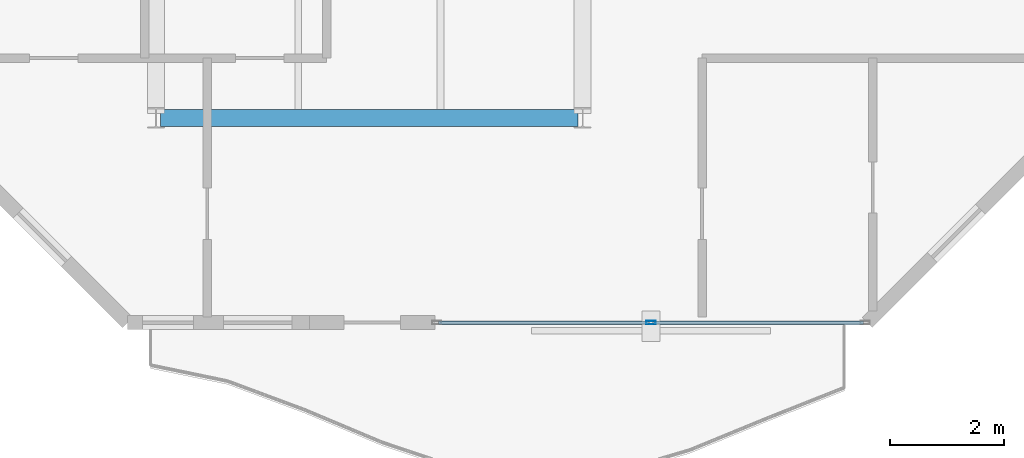
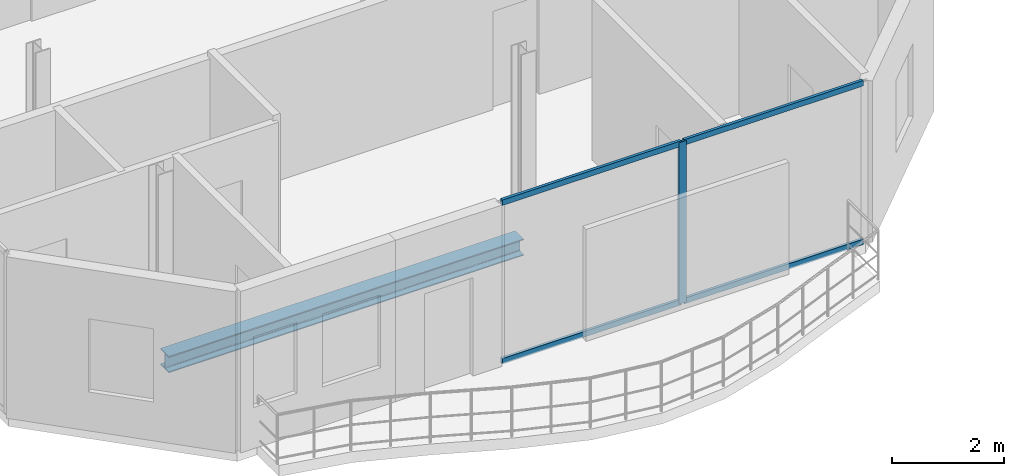
# One storey, part 4 of 22: 5 members, 1 beam, 1 element without a shape of its own.
"""IFC4 building model written with IfcOpenShell, lengths in metres."""

from ifc_helpers import new_model, si_unit, direction, frame, origin, origin_2d, place, context, subcontext, project, spatial, hollow_rectangle, i_section, extrude, material, layer, layer_set, material_profile, profile_set, type_object, element, aggregate, save


model = new_model("IFC4")

# Units and contexts
model_context = context("Model", 3, precision=1e-05, world=origin(), true_north=direction((0.0, 1.0)))
body_context = subcontext(model_context, "Body", "Model", "MODEL_VIEW")
ifc_project = project(units=[si_unit("LENGTHUNIT", "METRE"), si_unit("AREAUNIT", "SQUARE_METRE"), si_unit("VOLUMEUNIT", "CUBIC_METRE"), si_unit("PLANEANGLEUNIT", "RADIAN"), si_unit("MASSUNIT", "GRAM", prefix="KILO")], contexts=[model_context])

# Site, building, storey
site_placement = place(None, origin())
site = spatial("IfcSite", under=ifc_project, at=site_placement, CompositionType="ELEMENT")
building_placement = place(site_placement, origin())
building = spatial("IfcBuilding", under=site, at=building_placement, Name="Catumbela Crestline Tower", CompositionType="ELEMENT")
storey_placement = place(building_placement, frame((0.0, 0.0, 256.4)))
storey = spatial("IfcBuildingStorey", under=building, at=storey_placement, Name="L66", CompositionType="ELEMENT", Elevation=256.4)

# Beam
ifc_material_1 = material(Name="Structural steel S355J2", Category="steel")
ifc_material_profile_1 = material_profile(ifc_material_1, i_section(OverallWidth=0.3, OverallDepth=0.36, WebThickness=0.0125, FlangeThickness=0.0225, FilletRadius=0.027, at=origin_2d()), Name="HEB 360")
ifc_profile_set_1 = profile_set([ifc_material_profile_1], Name="Structural steel S355J2")
beam_type = type_object("IfcBeamType", Name="BG-HEB360", PredefinedType="BEAM", material=ifc_profile_set_1)
beam_placement = place(storey_placement, frame((8.58, 13.6, -0.44), z_axis=(1.0, 0.0, 0.0), x_axis=(0.0, 1.0, 0.0)))
element("IfcBeam", 1, at=beam_placement, inside=storey, type_object=beam_type, Name="L66 Beam BM-L66-WEW27", PredefinedType="BEAM", context=body_context, shape_type="SweptSolid", body=[
    extrude(i_section(OverallWidth=0.3, OverallDepth=0.36, WebThickness=0.0125, FlangeThickness=0.0225, FilletRadius=0.027, at=origin_2d()), origin(), (0.0, 0.0, 1.0), 7.34),
])

# Curtain wall, members
ifc_material_2 = material(Name="Aluminium alloy AW-6060-T66", Category="aluminium")
ifc_layer = layer(ifc_material_2, 0.18, Name="Aluminium alloy AW-6060-T66")
ifc_layer_set = layer_set([ifc_layer], Name="Aluminium alloy AW-6060-T66")
curtain_wall_type = type_object("IfcCurtainWallType", Name="CWU-Z4", PredefinedType="USERDEFINED", material=ifc_layer_set)
curtain_wall_placement = place(storey_placement, origin())
curtain_wall = element("IfcCurtainWall", 2, at=curtain_wall_placement, inside=storey, type_object=curtain_wall_type, Name="L66 Unitised Curtain Wall CW-L66-E0S2", ObjectType="UNITISED", PredefinedType="USERDEFINED")
ifc_material_profile_2 = material_profile(ifc_material_2, hollow_rectangle(XDim=0.06, YDim=0.16, WallThickness=0.004, at=origin_2d()), Name="ALU 160x60x4")
ifc_profile_set_2 = profile_set([ifc_material_profile_2], Name="Aluminium alloy AW-6060-T66")
member_type_1 = type_object("IfcMemberType", Name="MUL-160X60", PredefinedType="MULLION", material=ifc_profile_set_2)
member_1_placement = place(storey_placement, frame((17.2, 10.0, 0.0), z_axis=(0.0, 0.0, 1.0), x_axis=(0.0, 1.0, 0.0)))
member_1 = element("IfcMember", 3, at=member_1_placement, type_object=member_type_1, Name="CWU-Z4 mullion 2", PredefinedType="MULLION", context=body_context, shape_type="SweptSolid", body=[
    extrude(hollow_rectangle(XDim=0.06, YDim=0.16, WallThickness=0.004, at=origin_2d()), origin(), (0.0, 0.0, 1.0), 3.53),
])
ifc_material_profile_3 = material_profile(ifc_material_2, hollow_rectangle(XDim=0.06, YDim=0.12, WallThickness=0.0035, at=origin_2d()), Name="ALU 120x60x3.5")
ifc_profile_set_3 = profile_set([ifc_material_profile_3], Name="Aluminium alloy AW-6060-T66")
member_type_2 = type_object("IfcMemberType", Name="TRN-120X60", PredefinedType="USERDEFINED", material=ifc_profile_set_3)
member_2_placement = place(storey_placement, frame((13.465, 10.0, 0.03), z_axis=(1.0, 0.0, 0.0), x_axis=(0.0, 1.0, 0.0)))
member_2 = element("IfcMember", 4, at=member_2_placement, type_object=member_type_2, Name="CWU-Z4 transom 1.1", ObjectType="TRANSOM", PredefinedType="USERDEFINED", context=body_context, shape_type="SweptSolid", body=[
    extrude(hollow_rectangle(XDim=0.06, YDim=0.12, WallThickness=0.0035, at=origin_2d()), origin(), (0.0, 0.0, 1.0), 3.7025),
])
member_3_placement = place(storey_placement, frame((13.465, 10.0, 3.5), z_axis=(1.0, 0.0, 0.0), x_axis=(0.0, 1.0, 0.0)))
member_3 = element("IfcMember", 5, at=member_3_placement, type_object=member_type_2, Name="CWU-Z4 transom 1.2", ObjectType="TRANSOM", PredefinedType="USERDEFINED", context=body_context, shape_type="SweptSolid", body=[
    extrude(hollow_rectangle(XDim=0.06, YDim=0.12, WallThickness=0.0035, at=origin_2d()), origin(), (0.0, 0.0, 1.0), 3.7025),
])
member_4_placement = place(storey_placement, frame((17.2325, 10.0, 0.03), z_axis=(1.0, 0.0, 0.0), x_axis=(0.0, 1.0, 0.0)))
member_4 = element("IfcMember", 6, at=member_4_placement, type_object=member_type_2, Name="CWU-Z4 transom 2.1", ObjectType="TRANSOM", PredefinedType="USERDEFINED", context=body_context, shape_type="SweptSolid", body=[
    extrude(hollow_rectangle(XDim=0.06, YDim=0.12, WallThickness=0.0035, at=origin_2d()), origin(), (0.0, 0.0, 1.0), 3.7025),
])
member_5_placement = place(storey_placement, frame((17.2325, 10.0, 3.5), z_axis=(1.0, 0.0, 0.0), x_axis=(0.0, 1.0, 0.0)))
member_5 = element("IfcMember", 7, at=member_5_placement, type_object=member_type_2, Name="CWU-Z4 transom 2.2", ObjectType="TRANSOM", PredefinedType="USERDEFINED", context=body_context, shape_type="SweptSolid", body=[
    extrude(hollow_rectangle(XDim=0.06, YDim=0.12, WallThickness=0.0035, at=origin_2d()), origin(), (0.0, 0.0, 1.0), 3.7025),
])
aggregate(curtain_wall, [member_1, member_2, member_3, member_4, member_5])

save(model, "model.ifc")
